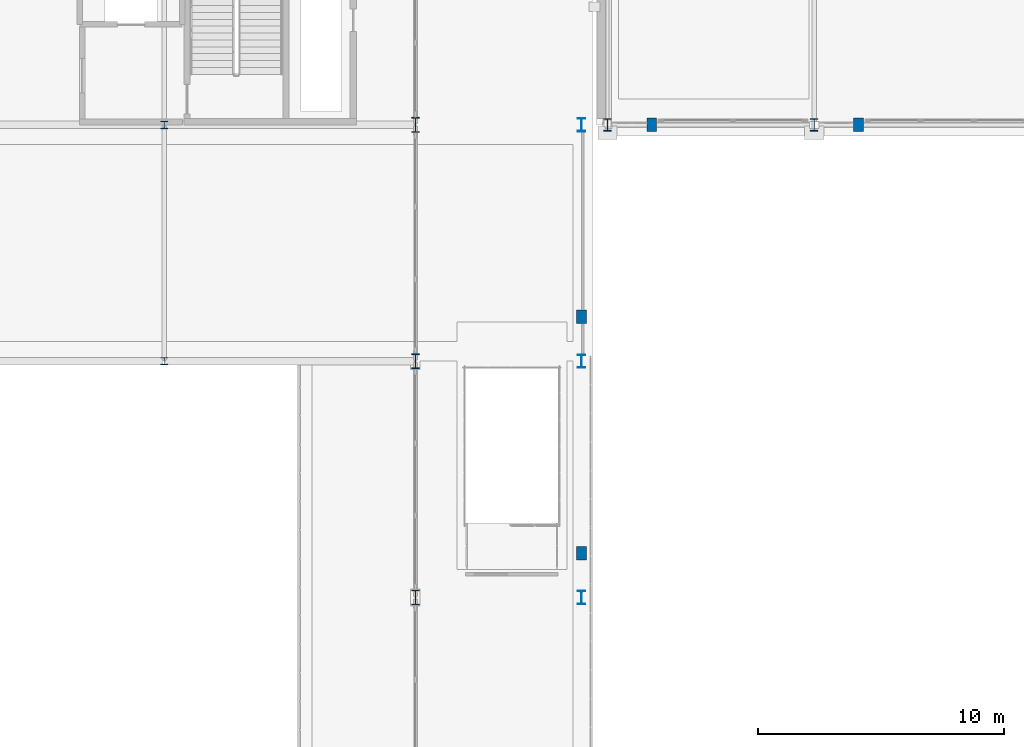
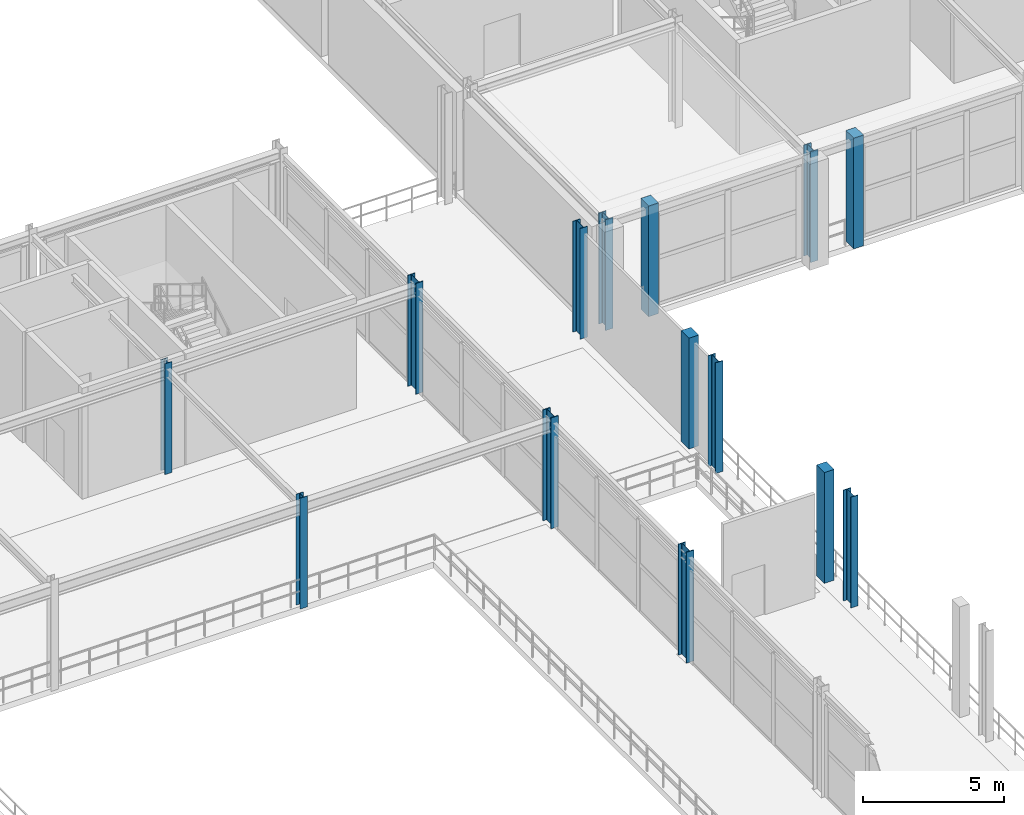
# One storey, part 14 of 125: 14 columns.
"""IFC4 building model written with IfcOpenShell, lengths in metres."""

from ifc_helpers import new_model, si_unit, direction, frame, origin, origin_2d, place, context, subcontext, project, spatial, rectangle, i_section, extrude, material, material_profile, profile_set, type_object, element, save


model = new_model("IFC4")

# Units and contexts
model_context = context("Model", 3, precision=1e-05, world=origin(), true_north=direction((0.0, 1.0)))
body_context = subcontext(model_context, "Body", "Model", "MODEL_VIEW")
ifc_project = project(units=[si_unit("LENGTHUNIT", "METRE"), si_unit("AREAUNIT", "SQUARE_METRE"), si_unit("VOLUMEUNIT", "CUBIC_METRE"), si_unit("PLANEANGLEUNIT", "RADIAN"), si_unit("MASSUNIT", "GRAM", prefix="KILO")], contexts=[model_context])

# Site, building, storey
site_placement = place(None, origin())
site = spatial("IfcSite", under=ifc_project, at=site_placement, CompositionType="ELEMENT")
building_placement = place(site_placement, origin())
building = spatial("IfcBuilding", under=site, at=building_placement, Name="Myrtia Square Station", CompositionType="ELEMENT")
storey_placement = place(building_placement, frame((0.0, 0.0, 6.0)))
storey = spatial("IfcBuildingStorey", under=building, at=storey_placement, Name="L01", CompositionType="ELEMENT", Elevation=6.0)

# Columns
ifc_material_1 = material(Name="Steel S355", Category="steel")
ifc_material_profile_1 = material_profile(ifc_material_1, i_section(OverallWidth=0.300048828125, OverallDepth=0.5400390625, WebThickness=0.012451171875, FlangeThickness=0.02392578125, FilletRadius=0.027099609375, at=origin_2d()), Name="HEA 550")
ifc_profile_set_1 = profile_set([ifc_material_profile_1], Name="Steel S355")
column_type_1 = type_object("IfcColumnType", Name="COL-HEA550", PredefinedType="COLUMN", material=ifc_profile_set_1)
for number, where, z_axis, x_axis, name in (
    (1, (116.550048828125, 67.199951171875, 0.0), (0.0, 0.0, 1.0), (1.0, 0.0, 0.0), "Column L01-0336"),
    (2, (116.550048828125, 76.800048828125, 0.0), (0.0, 0.0, 1.0), (1.0, 0.0, 0.0), "Column L01-0358"),
    (3, (116.550048828125, 86.39990234375, 0.0), (0.0, 0.0, 1.0), (1.0, 0.0, 0.0), "Column L01-0380"),
):
    element("IfcColumn", number, at=place(storey_placement, frame(where, z_axis=z_axis, x_axis=x_axis)), inside=storey, type_object=column_type_1, Name=name, PredefinedType="COLUMN", context=body_context, shape_type="SweptSolid", body=[
        extrude(i_section(OverallWidth=0.300048828125, OverallDepth=0.5400390625, WebThickness=0.012451171875, FlangeThickness=0.02392578125, FilletRadius=0.027099609375, at=origin_2d()), origin(), (0.0, 0.0, 1.0), 4.800048828125),
    ])
ifc_material_profile_2 = material_profile(ifc_material_1, i_section(OverallWidth=0.300048828125, OverallDepth=0.300048828125, WebThickness=0.010986328125, FlangeThickness=0.01904296875, FilletRadius=0.027099609375, at=origin_2d()), Name="HEB 300")
ifc_profile_set_2 = profile_set([ifc_material_profile_2], Name="Steel S355")
column_type_2 = type_object("IfcColumnType", Name="COL-HEB300", PredefinedType="COLUMN", material=ifc_profile_set_2)
for number, where, z_axis, x_axis, name in (
    (4, (99.60009765625, 76.800048828125, 0.0), (0.0, 0.0, 1.0), (1.0, 0.0, 0.0), "Column L01-0468"),
    (5, (99.60009765625, 86.39990234375, 0.0), (0.0, 0.0, 1.0), (1.0, 0.0, 0.0), "Column L01-0473"),
):
    element("IfcColumn", number, at=place(storey_placement, frame(where, z_axis=z_axis, x_axis=x_axis)), inside=storey, type_object=column_type_2, Name=name, PredefinedType="COLUMN", context=body_context, shape_type="SweptSolid", body=[
        extrude(i_section(OverallWidth=0.300048828125, OverallDepth=0.300048828125, WebThickness=0.010986328125, FlangeThickness=0.01904296875, FilletRadius=0.027099609375, at=origin_2d()), origin(), (0.0, 0.0, 1.0), 4.800048828125),
    ])
ifc_material_profile_3 = material_profile(ifc_material_1, i_section(OverallWidth=0.300048828125, OverallDepth=0.5, WebThickness=0.014404296875, FlangeThickness=0.028076171875, FilletRadius=0.027099609375, at=origin_2d()), Name="HEB 500")
ifc_profile_set_3 = profile_set([ifc_material_profile_3], Name="Steel S355")
column_type_3 = type_object("IfcColumnType", Name="COL-HEB500", PredefinedType="COLUMN", material=ifc_profile_set_3)
for number, where, z_axis, x_axis, name in (
    (6, (117.60009765625, 86.39990234375, 0.0), (0.0, 0.0, 1.0), (1.0, 0.0, 0.0), "Column L01-0761"),
    (7, (126.0, 86.39990234375, 0.0), (0.0, 0.0, 1.0), (1.0, 0.0, 0.0), "Column L01-0781"),
):
    element("IfcColumn", number, at=place(storey_placement, frame(where, z_axis=z_axis, x_axis=x_axis)), inside=storey, type_object=column_type_3, Name=name, PredefinedType="COLUMN", context=body_context, shape_type="SweptSolid", body=[
        extrude(i_section(OverallWidth=0.300048828125, OverallDepth=0.5, WebThickness=0.014404296875, FlangeThickness=0.028076171875, FilletRadius=0.027099609375, at=origin_2d()), origin(), (0.0, 0.0, 1.0), 4.800048828125),
    ])
ifc_material_profile_4 = material_profile(ifc_material_1, i_section(OverallWidth=0.300048828125, OverallDepth=0.60009765625, WebThickness=0.015380859375, FlangeThickness=0.030029296875, FilletRadius=0.027099609375, at=origin_2d()), Name="HEB 600")
ifc_profile_set_4 = profile_set([ifc_material_profile_4], Name="Steel S355")
column_type_4 = type_object("IfcColumnType", Name="COL-HEB600", PredefinedType="COLUMN", material=ifc_profile_set_4)
for number, where, z_axis, x_axis, name in (
    (8, (109.800048828125, 67.199951171875, 0.0), (0.0, 0.0, 1.0), (1.0, 0.0, 0.0), "Column L01-0347"),
    (9, (109.800048828125, 76.800048828125, 0.0), (0.0, 0.0, 1.0), (1.0, 0.0, 0.0), "Column L01-0369"),
    (10, (109.800048828125, 86.39990234375, 0.0), (0.0, 0.0, 1.0), (1.0, 0.0, 0.0), "Column L01-0391"),
):
    element("IfcColumn", number, at=place(storey_placement, frame(where, z_axis=z_axis, x_axis=x_axis)), inside=storey, type_object=column_type_4, Name=name, PredefinedType="COLUMN", context=body_context, shape_type="SweptSolid", body=[
        extrude(i_section(OverallWidth=0.300048828125, OverallDepth=0.60009765625, WebThickness=0.015380859375, FlangeThickness=0.030029296875, FilletRadius=0.027099609375, at=origin_2d()), origin(), (0.0, 0.0, 1.0), 4.800048828125),
    ])
ifc_material_2 = material(Name="Concrete C40/50", Category="concrete")
ifc_material_profile_5 = material_profile(ifc_material_2, rectangle(XDim=0.39990234375, YDim=0.550048828125, at=origin_2d()), Name="PIL 400x550")
ifc_profile_set_5 = profile_set([ifc_material_profile_5], Name="Concrete C40/50")
column_type_5 = type_object("IfcColumnType", Name="PIL-RC400x550", PredefinedType="PILASTER", material=ifc_profile_set_5)
for number, where, z_axis, x_axis, name in (
    (11, (116.550048828125, 69.0, 0.0), (0.0, 0.0, 1.0), (1.0, 0.0, 0.0), "Portales arcade pilaster L01-04"),
    (12, (116.550048828125, 78.60009765625, 0.0), (0.0, 0.0, 1.0), (1.0, 0.0, 0.0), "Portales arcade pilaster L01-05"),
    (13, (119.39990234375, 86.39990234375, 0.0), (0.0, 0.0, 1.0), (1.0, 0.0, 0.0), "Portales arcade pilaster L01-13"),
    (14, (127.800048828125, 86.39990234375, 0.0), (0.0, 0.0, 1.0), (1.0, 0.0, 0.0), "Portales arcade pilaster L01-14"),
):
    element("IfcColumn", number, at=place(storey_placement, frame(where, z_axis=z_axis, x_axis=x_axis)), inside=storey, type_object=column_type_5, Name=name, PredefinedType="PILASTER", context=body_context, shape_type="SweptSolid", body=[
        extrude(rectangle(XDim=0.39990234375, YDim=0.550048828125, at=origin_2d()), origin(), (0.0, 0.0, 1.0), 4.800048828125),
    ])

save(model, "model.ifc")
